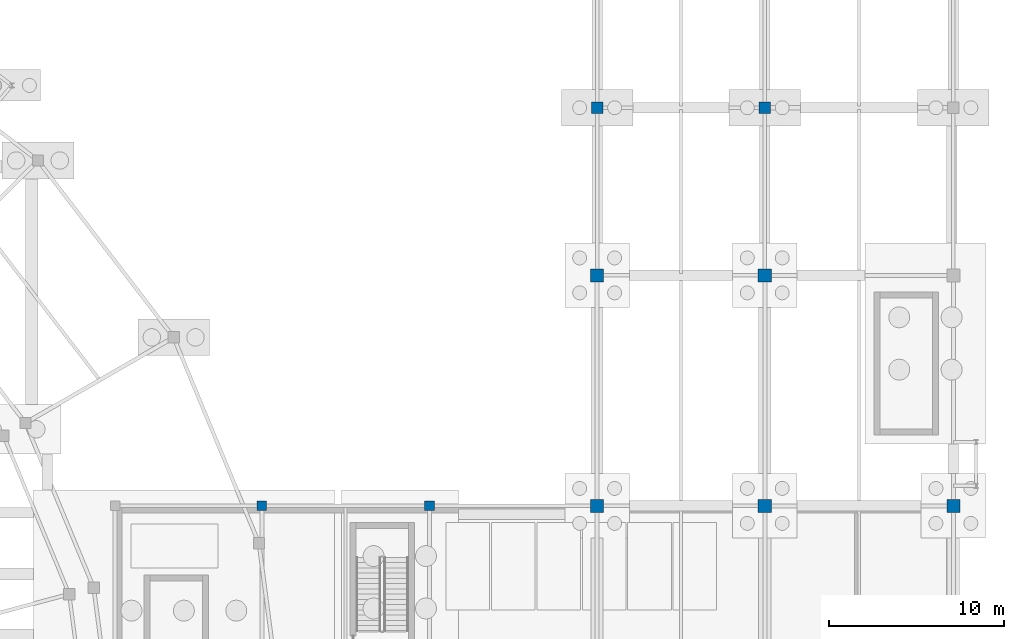
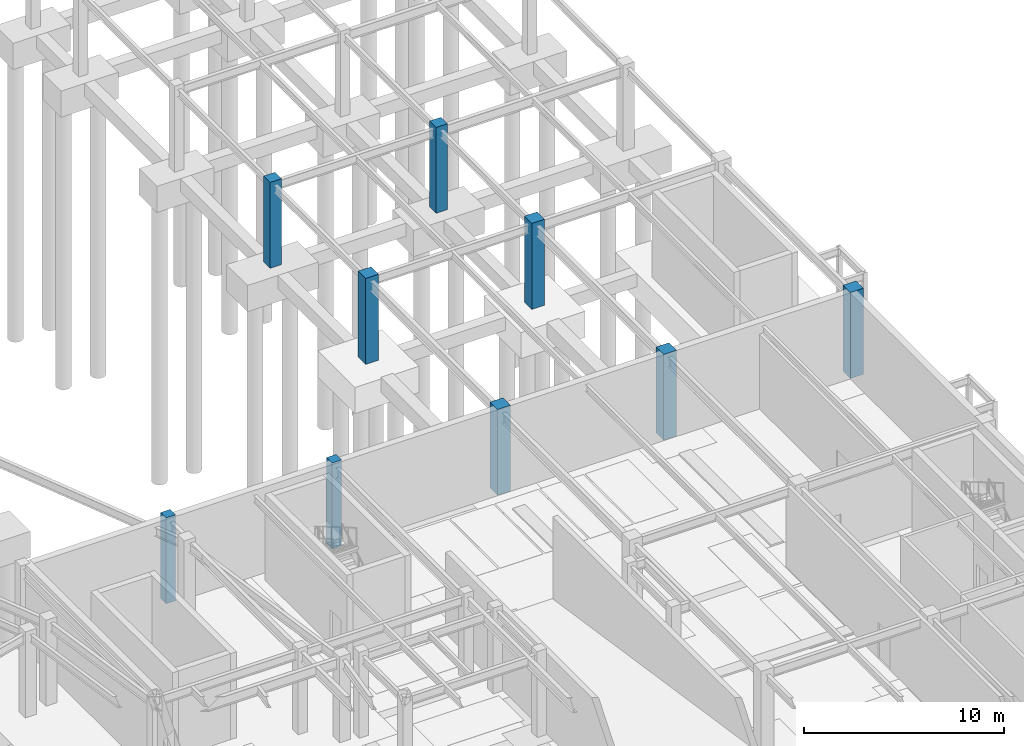
# One storey, part 34 of 55: 9 columns.
"""IFC4 building model written with IfcOpenShell, lengths in metres."""

from ifc_helpers import new_model, si_unit, direction, frame, origin, origin_2d, place, context, subcontext, project, spatial, rectangle, extrude, material, material_profile, profile_set, type_object, element, save


model = new_model("IFC4")

# Units and contexts
model_context = context("Model", 3, precision=1e-05, world=origin(), true_north=direction((0.0, 1.0)))
body_context = subcontext(model_context, "Body", "Model", "MODEL_VIEW")
ifc_project = project(units=[si_unit("LENGTHUNIT", "METRE"), si_unit("AREAUNIT", "SQUARE_METRE"), si_unit("VOLUMEUNIT", "CUBIC_METRE"), si_unit("PLANEANGLEUNIT", "RADIAN"), si_unit("MASSUNIT", "GRAM", prefix="KILO")], contexts=[model_context])

# Site, building, storey
site_placement = place(None, origin())
site = spatial("IfcSite", under=ifc_project, at=site_placement, CompositionType="ELEMENT")
building_placement = place(site_placement, origin())
building = spatial("IfcBuilding", under=site, at=building_placement, Name="Almandine Court Research Institute", CompositionType="ELEMENT")
storey_placement = place(building_placement, frame((0.0, 0.0, -5.25)))
storey = spatial("IfcBuildingStorey", under=building, at=storey_placement, Name="B1", CompositionType="ELEMENT", Elevation=-5.25)

# Columns
ifc_material = material(Name="Concrete C40/50", Category="concrete")
ifc_material_profile_1 = material_profile(ifc_material, rectangle(XDim=0.75, YDim=0.75, at=origin_2d()), Name="RC 750x750")
ifc_profile_set_1 = profile_set([ifc_material_profile_1], Name="Concrete C40/50")
column_type_1 = type_object("IfcColumnType", Name="Col-C-RC1", PredefinedType="COLUMN", material=ifc_profile_set_1)
for number, where, z_axis, x_axis, name in (
    (1, (153.60009765625, 70.800048828125, 0.0), (0.0, 0.0, 1.0), (1.0, 0.0, 0.0), "B1 V4 Column V4-X2Y7"),
    (2, (153.60009765625, 84.0, 0.0), (0.0, 0.0, 1.0), (1.0, 0.0, 0.0), "B1 V4 Column V4-X2Y8"),
    (3, (163.199951171875, 70.800048828125, 0.0), (0.0, 0.0, 1.0), (1.0, 0.0, 0.0), "B1 V4 Column V4-X3Y7"),
    (4, (163.199951171875, 84.0, 0.0), (0.0, 0.0, 1.0), (1.0, 0.0, 0.0), "B1 V4 Column V4-X3Y8"),
    (5, (174.0, 70.800048828125, 0.0), (0.0, 0.0, 1.0), (1.0, 0.0, 0.0), "B1 V4 Column V4-X4Y7"),
):
    element("IfcColumn", number, at=place(storey_placement, frame(where, z_axis=z_axis, x_axis=x_axis)), inside=storey, type_object=column_type_1, Name=name, PredefinedType="COLUMN", context=body_context, shape_type="SweptSolid", body=[
        extrude(rectangle(XDim=0.75, YDim=0.75, at=origin_2d()), origin(), (0.0, 0.0, 1.0), 5.25),
    ])
ifc_material_profile_2 = material_profile(ifc_material, rectangle(XDim=0.64990234375, YDim=0.64990234375, at=origin_2d()), Name="RC 650x650")
ifc_profile_set_2 = profile_set([ifc_material_profile_2], Name="Concrete C40/50")
column_type_2 = type_object("IfcColumnType", Name="Col-C-RC2", PredefinedType="COLUMN", material=ifc_profile_set_2)
for number, where, z_axis, x_axis, name in (
    (6, (153.60009765625, 93.60009765625, 0.0), (0.0, 0.0, 1.0), (1.0, 0.0, 0.0), "B1 V4 Column V4-X2Y9"),
    (7, (163.199951171875, 93.60009765625, 0.0), (0.0, 0.0, 1.0), (1.0, 0.0, 0.0), "B1 V4 Column V4-X3Y9"),
):
    element("IfcColumn", number, at=place(storey_placement, frame(where, z_axis=z_axis, x_axis=x_axis)), inside=storey, type_object=column_type_2, Name=name, PredefinedType="COLUMN", context=body_context, shape_type="SweptSolid", body=[
        extrude(rectangle(XDim=0.64990234375, YDim=0.64990234375, at=origin_2d()), origin(), (0.0, 0.0, 1.0), 5.25),
    ])
ifc_material_profile_3 = material_profile(ifc_material, rectangle(XDim=0.550048828125, YDim=0.550048828125, at=origin_2d()), Name="RC 550x550")
ifc_profile_set_3 = profile_set([ifc_material_profile_3], Name="Concrete C40/50")
column_type_3 = type_object("IfcColumnType", Name="Col-C-RC3", PredefinedType="COLUMN", material=ifc_profile_set_3)
for number, where, z_axis, x_axis, name in (
    (8, (134.39990234375, 70.800048828125, 0.0), (0.0, 0.0, 1.0), (1.0, 0.0, 0.0), "B1 B1G Column B1G-X2Y6"),
    (9, (144.0, 70.800048828125, 0.0), (0.0, 0.0, 1.0), (1.0, 0.0, 0.0), "B1 B1G Column B1G-X3Y6"),
):
    element("IfcColumn", number, at=place(storey_placement, frame(where, z_axis=z_axis, x_axis=x_axis)), inside=storey, type_object=column_type_3, Name=name, PredefinedType="COLUMN", context=body_context, shape_type="SweptSolid", body=[
        extrude(rectangle(XDim=0.550048828125, YDim=0.550048828125, at=origin_2d()), origin(), (0.0, 0.0, 1.0), 5.25),
    ])

save(model, "model.ifc")
